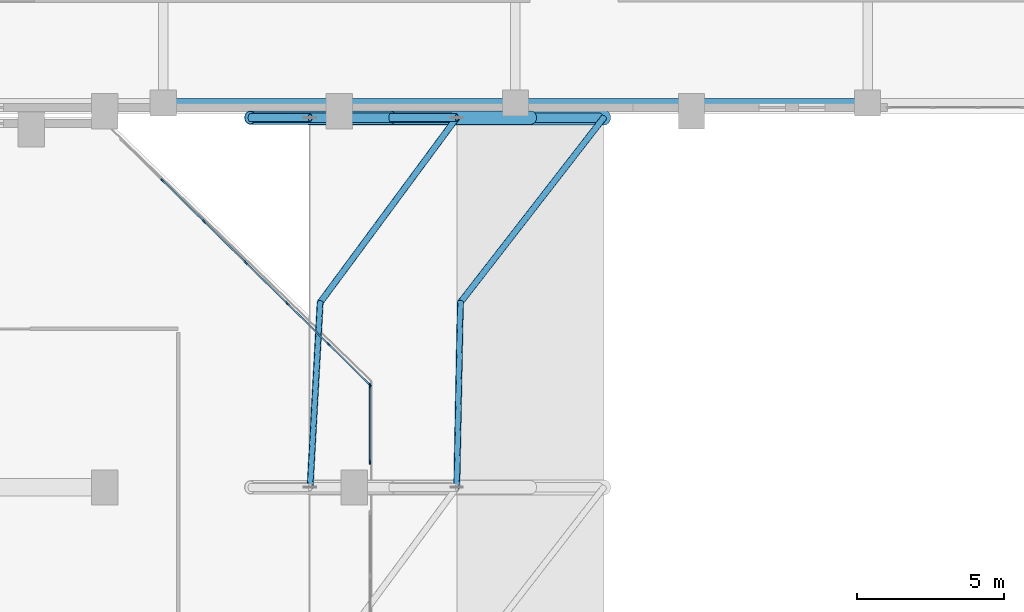
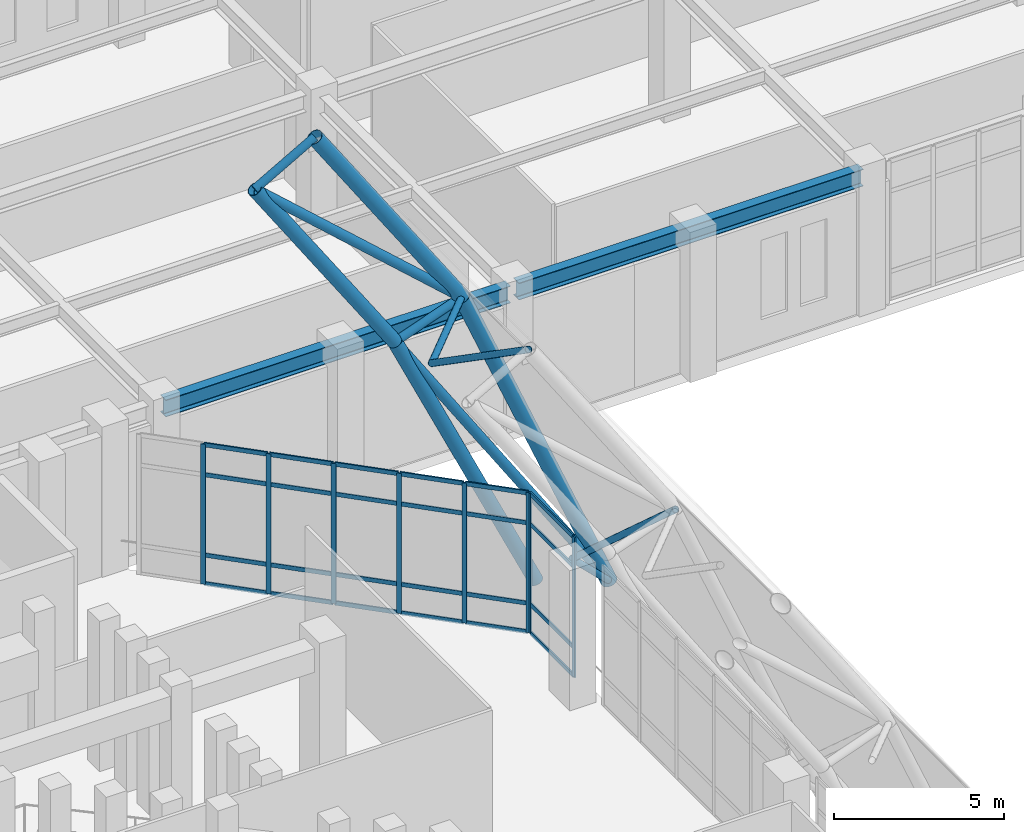
# One storey, part 58 of 159: 44 members, 2 beams, 2 elements without a shape of their own.
"""IFC4 building model written with IfcOpenShell, lengths in metres."""

import ifcopenshell
import ifcopenshell.guid

model = None  # the IFC model being written
_history = None  # IfcOwnerHistory: only IFC2X3 demands one
_inside = {}  # id of a spatial element -> (the spatial element, [elements in it])
_under = {}  # id of a project, library or spatial element -> (it, [spatial elements below it])
_declared = {}  # id of a project -> (the project, [libraries it declares])
_typed = {}  # id of a type object -> (the type object, [elements of that type])
_made_of = {}  # id of a material, layer set ... -> (it, [elements and type objects made of it])


def new_model(schema):
    """Start an empty IFC model of exactly this schema.

    Asked for "IFC4X3", IfcOpenShell would pick the latest addendum, in which some entities
    have other attributes; the version numbers below select the first issue.
    IFC2X3 requires an IfcOwnerHistory on every rooted entity: one is made here for all.
    """
    global model, _history
    if schema == "IFC4X3":
        model = ifcopenshell.file(schema_version=(4, 3, 0, 0))
    else:
        model = ifcopenshell.file(schema=schema)
    _inside.clear()
    _under.clear()
    _declared.clear()
    _typed.clear()
    _made_of.clear()
    _history = None
    if model.schema == "IFC2X3":
        org = make("IfcOrganization", Name="unknown")
        user = make(
            "IfcPersonAndOrganization",
            ThePerson=make("IfcPerson", FamilyName="unknown"),
            TheOrganization=org,
        )
        app = make(
            "IfcApplication",
            ApplicationDeveloper=org,
            Version="unknown",
            ApplicationFullName="unknown",
            ApplicationIdentifier="unknown",
        )
        _history = make(
            "IfcOwnerHistory",
            OwningUser=user,
            OwningApplication=app,
            ChangeAction="ADDED",
            CreationDate=0,
        )
    return model


def make(cls, **values):
    """One entity of the class cls with the attributes given. An attribute that is None is left unset."""
    return model.create_entity(
        cls, **{name: value for name, value in values.items() if value is not None}
    )


def rooted(cls, **values):
    """An entity with a GlobalId (a new one), such as an element, a storey or a relation."""
    return make(cls, GlobalId=ifcopenshell.guid.new(), OwnerHistory=_history, **values)


def si_unit(unit_type, name, prefix=None):
    """IfcSIUnit, for example si_unit("LENGTHUNIT", "METRE", prefix="MILLI")."""
    return make("IfcSIUnit", UnitType=unit_type, Prefix=prefix, Name=name)


def derived_unit(unit_type, elements):
    """IfcDerivedUnit: a product of units, each with its exponent."""
    return make(
        "IfcDerivedUnit",
        Elements=[
            make("IfcDerivedUnitElement", Unit=unit, Exponent=power)
            for unit, power in elements
        ],
        UnitType=unit_type,
    )


def assignment(units):
    """IfcUnitAssignment: the units of a project."""
    return None if units is None else make("IfcUnitAssignment", Units=units)


def point(xyz):
    """IfcCartesianPoint."""
    return None if xyz is None else make("IfcCartesianPoint", Coordinates=xyz)


def direction(xyz):
    """IfcDirection."""
    return None if xyz is None else make("IfcDirection", DirectionRatios=xyz)


def frame(location, z_axis=None, x_axis=None):
    """IfcAxis2Placement3D, a coordinate frame: its origin and axes. An axis left out is left unset."""
    return make(
        "IfcAxis2Placement3D",
        Location=point(location),
        Axis=direction(z_axis),
        RefDirection=direction(x_axis),
    )


def frame_2d(location, x_axis=None):
    """IfcAxis2Placement2D, a coordinate frame in the plane: its origin and x axis."""
    return make(
        "IfcAxis2Placement2D", Location=point(location), RefDirection=direction(x_axis)
    )


def origin():
    """The frame at (0, 0, 0) with its axes left unset."""
    return frame((0.0, 0.0, 0.0))


def origin_2d():
    """The frame at (0, 0) in the plane with its x axis left unset."""
    return frame_2d((0.0, 0.0))


def place(relative_to, where):
    """IfcLocalPlacement: puts the frame where relative to a parent placement (None: the world)."""
    return make(
        "IfcLocalPlacement", PlacementRelTo=relative_to, RelativePlacement=where
    )


def context(
    kind, dimensions, precision=None, world=None, true_north=None, identifier=None
):
    """IfcGeometricRepresentationContext, for example the 3D "Model" context."""
    return make(
        "IfcGeometricRepresentationContext",
        ContextIdentifier=identifier,
        ContextType=kind,
        CoordinateSpaceDimension=dimensions,
        Precision=precision,
        WorldCoordinateSystem=world,
        TrueNorth=true_north,
    )


def subcontext(parent, identifier, kind, view, scale=None):
    """IfcGeometricRepresentationSubContext, for example "Body" below "Model"."""
    return make(
        "IfcGeometricRepresentationSubContext",
        ContextIdentifier=identifier,
        ContextType=kind,
        ParentContext=parent,
        TargetScale=scale,
        TargetView=view,
    )


def project(units=None, contexts=None):
    """IfcProject with its units and contexts."""
    return rooted(
        "IfcProject",
        Name="project",
        RepresentationContexts=contexts,
        UnitsInContext=assignment(units),
    )


def spatial(cls, under=None, at=None, **own):
    """A site, building, storey or space (cls), placed at a placement, below another one or the project."""
    s = rooted(cls, ObjectPlacement=at, **own)
    if under is not None:
        _under.setdefault(under.id(), (under, []))[1].append(s)
    return s


def profile(cls, at=None, kind="AREA", **sizes):
    """A parametric profile (cls). Its sizes go by their IFC names, for example OverallWidth=200.0."""
    return make(cls, ProfileType=kind, Position=at, **sizes)


def rectangle(**sizes):
    """IfcRectangleProfileDef."""
    return profile("IfcRectangleProfileDef", **sizes)


def hollow_circle(**sizes):
    """IfcCircleHollowProfileDef."""
    return profile("IfcCircleHollowProfileDef", **sizes)


def i_section(**sizes):
    """IfcIShapeProfileDef."""
    return profile("IfcIShapeProfileDef", **sizes)


def extrude(swept, where, along, depth):
    """IfcExtrudedAreaSolid: the profile swept, set in the frame where, extruded along a direction by depth."""
    return make(
        "IfcExtrudedAreaSolid",
        SweptArea=swept,
        Position=where,
        ExtrudedDirection=direction(along),
        Depth=depth,
    )


def shape(context_of_items, identifier, shape_type, items):
    """IfcShapeRepresentation: the items that make up one representation, for example the "Body"."""
    return make(
        "IfcShapeRepresentation",
        ContextOfItems=context_of_items,
        RepresentationIdentifier=identifier,
        RepresentationType=shape_type,
        Items=items,
    )


def material(Name=None, Category=None):
    """IfcMaterial."""
    return make("IfcMaterial", Name=Name, Category=Category)


def layer(
    of_material, thickness, ventilated=None, Name=None, Category=None, Priority=None
):
    """IfcMaterialLayer: one layer of a wall or slab, of a material (None: an air gap)."""
    return make(
        "IfcMaterialLayer",
        Material=of_material,
        LayerThickness=thickness,
        IsVentilated=ventilated,
        Name=Name,
        Category=Category,
        Priority=Priority,
    )


def layer_set(layers, Name=None):
    """IfcMaterialLayerSet."""
    return make("IfcMaterialLayerSet", MaterialLayers=layers, LayerSetName=Name)


def material_profile(
    of_material, cross_section, Name=None, Category=None, Priority=None
):
    """IfcMaterialProfile: a cross section and its material."""
    return make(
        "IfcMaterialProfile",
        Name=Name,
        Material=of_material,
        Profile=cross_section,
        Priority=Priority,
        Category=Category,
    )


def profile_set(profiles, Name=None, composite=None):
    """IfcMaterialProfileSet."""
    return make(
        "IfcMaterialProfileSet",
        Name=Name,
        MaterialProfiles=profiles,
        CompositeProfile=composite,
    )


def made_of(thing, what):
    """Note that an element or type object is made of a material, layer set ...; save() writes the relation."""
    if what is not None:
        _made_of.setdefault(what.id(), (what, []))[1].append(thing)
    return thing


def type_object(cls, material=None, **own):
    """A type object (cls), such as IfcWallType, which elements share."""
    return made_of(rooted(cls, **own), material)


def element(
    cls,
    number,
    at=None,
    inside=None,
    cuts=None,
    type_object=None,
    material=None,
    context=None,
    identifier="Body",
    shape_type=None,
    held_by="IfcProductDefinitionShape",
    body=None,
    shapes=None,
    **own,
):
    """One element of the class cls, such as IfcWall. Its Tag is "e" and its number.

    at: its placement. inside: the storey or other place that contains it. cuts: it is an
    opening in that element (IfcRelVoidsElement). A single representation is given by context,
    identifier, shape_type and body (its items); several are given by shapes. held_by: the class
    of the entity that holds the representations. save() writes the other relations.
    """
    e = rooted(cls, Tag="e%d" % number, ObjectPlacement=at, **own)
    if body is not None:
        shapes = [shape(context, identifier, shape_type, body)]
    if shapes is not None:
        e.Representation = make(held_by, Representations=shapes)
    if inside is not None:
        _inside.setdefault(inside.id(), (inside, []))[1].append(e)
    if cuts is not None:
        rooted(
            "IfcRelVoidsElement", RelatingBuildingElement=cuts, RelatedOpeningElement=e
        )
    if type_object is not None:
        _typed.setdefault(type_object.id(), (type_object, []))[1].append(e)
    return made_of(e, material)


def aggregate(whole, parts):
    """IfcRelAggregates: a whole, such as a stair, and the parts it consists of."""
    return rooted("IfcRelAggregates", RelatingObject=whole, RelatedObjects=parts)


def save(model, path):
    """Write the relations noted so far, then the file.

    IfcRelAggregates (storeys below a building ...), IfcRelContainedInSpatialStructure (elements
    in a storey), IfcRelDefinesByType, IfcRelAssociatesMaterial and IfcRelDeclares: one each for
    every whole, place, type object, material and project.
    """
    for whole, parts in _under.values():
        aggregate(whole, parts)
    for where, things in _inside.values():
        rooted(
            "IfcRelContainedInSpatialStructure",
            RelatedElements=things,
            RelatingStructure=where,
        )
    for kind, things in _typed.values():
        rooted("IfcRelDefinesByType", RelatedObjects=things, RelatingType=kind)
    for what, things in _made_of.values():
        rooted("IfcRelAssociatesMaterial", RelatedObjects=things, RelatingMaterial=what)
    for by, libraries in _declared.values():
        rooted("IfcRelDeclares", RelatingContext=by, RelatedDefinitions=libraries)
    model.write(path)


model = new_model("IFC4")

# Units and contexts
model_context = context("Model", 3, precision=1e-05, world=origin(), true_north=direction((0.0, 1.0)))
body_context = subcontext(model_context, "Body", "Model", "MODEL_VIEW")
ifc_project = project(units=[si_unit("LENGTHUNIT", "METRE"), si_unit("AREAUNIT", "SQUARE_METRE"), si_unit("VOLUMEUNIT", "CUBIC_METRE"), si_unit("PLANEANGLEUNIT", "RADIAN"), si_unit("MASSUNIT", "GRAM", prefix="KILO"), derived_unit("THERMALTRANSMITTANCEUNIT", [(si_unit("MASSUNIT", "GRAM", prefix="KILO"), 1), (si_unit("TIMEUNIT", "SECOND"), -3), (si_unit("THERMODYNAMICTEMPERATUREUNIT", "KELVIN"), -1)])], contexts=[model_context])

# Site, building, storey
site_placement = place(None, origin())
site = spatial("IfcSite", under=ifc_project, at=site_placement, CompositionType="ELEMENT")
building_placement = place(site_placement, origin())
building = spatial("IfcBuilding", under=site, at=building_placement, Name="Valcora Ridge Arena", CompositionType="ELEMENT")
storey_placement = place(building_placement, frame((0.0, 0.0, 6.0)))
storey = spatial("IfcBuildingStorey", under=building, at=storey_placement, Name="L01", CompositionType="ELEMENT", Elevation=6.0)

# Beams
ifc_material_1 = material(Name="Steel ASTM A572 Grade 50", Category="steel")
ifc_material_profile_1 = material_profile(ifc_material_1, i_section(OverallWidth=0.324951171875, OverallDepth=0.612060546875, WebThickness=0.0126953125, FlangeThickness=0.01904296875, FilletRadius=0.01806640625, at=origin_2d()), Name="W24X104")
ifc_profile_set_1 = profile_set([ifc_material_profile_1], Name="Steel ASTM A572 Grade 50")
beam_type = type_object("IfcBeamType", Name="TY-BEAM-G-W24X104-X", PredefinedType="BEAM", material=ifc_profile_set_1)
for number, where, z_axis, x_axis, name in (
    (1, (96.139892578125, 108.699951171875, 4.73388671875), (1.0, 0.0, 0.0), (0.0, 1.0, 0.0), "G-W24X104-X BEM-G-W24X104-X-0041"),
    (2, (108.139892578125, 108.699951171875, 4.73388671875), (1.0, 0.0, 0.0), (0.0, 1.0, 0.0), "G-W24X104-X BEM-G-W24X104-X-0042"),
):
    element("IfcBeam", number, at=place(storey_placement, frame(where, z_axis=z_axis, x_axis=x_axis)), inside=storey, type_object=beam_type, Name=name, PredefinedType="BEAM", context=body_context, shape_type="SweptSolid", body=[
        extrude(i_section(OverallWidth=0.324951171875, OverallDepth=0.612060546875, WebThickness=0.0126953125, FlangeThickness=0.01904296875, FilletRadius=0.01806640625, at=origin_2d()), origin(), (0.0, 0.0, 1.0), 11.72021484375),
    ])

# Curtain wall, members
ifc_material_2 = material(Name="Anodised dark bronze architectural aluminium 6063-T6", Category="aluminium")
ifc_layer_1 = layer(ifc_material_2, 0.14990234375, Name="Anodised dark bronze architectural aluminium 6063-T6")
ifc_layer_set_1 = layer_set([ifc_layer_1], Name="Anodised dark bronze architectural aluminium 6063-T6")
curtain_wall_type_1 = type_object("IfcCurtainWallType", Name="TY-CURTAINWALL-CW-V1-EAST-026X50", PredefinedType="NOTDEFINED", material=ifc_layer_set_1)
curtain_wall_1_placement = place(storey_placement, origin())
curtain_wall_1 = element("IfcCurtainWall", 3, at=curtain_wall_1_placement, inside=storey, type_object=curtain_wall_type_1, Name="CW-V1-EAST-026X50 CW-0112", PredefinedType="NOTDEFINED")
ifc_material_profile_2 = material_profile(ifc_material_2, rectangle(XDim=0.050048828125, YDim=0.14990234375, at=origin_2d()), Name="ALU MULLION 50x150")
ifc_profile_set_2 = profile_set([ifc_material_profile_2], Name="Anodised dark bronze architectural aluminium 6063-T6")
member_type_1 = type_object("IfcMemberType", Name="TY-MEM-CWM-50x150", PredefinedType="MULLION", material=ifc_profile_set_2)
member_1_placement = place(storey_placement, frame((103.050048828125, 96.465087890625, 0.0), z_axis=(0.0, 0.0, 1.0), x_axis=(-1.0, 0.0, 0.0)))
member_1 = element("IfcMember", 4, at=member_1_placement, type_object=member_type_1, Name="CW-0112/CWM-50x150/M00", PredefinedType="MULLION", context=body_context, shape_type="SweptSolid", body=[
    extrude(rectangle(XDim=0.050048828125, YDim=0.14990234375, at=origin_2d()), origin(), (0.0, 0.0, 1.0), 5.0400390625),
])
member_2_placement = place(storey_placement, frame((103.050048828125, 99.05810546875, 0.0), z_axis=(0.0, 0.0, 1.0), x_axis=(-1.0, 0.0, 0.0)))
member_2 = element("IfcMember", 5, at=member_2_placement, type_object=member_type_1, Name="CW-0112/CWM-50x150/M01", PredefinedType="MULLION", context=body_context, shape_type="SweptSolid", body=[
    extrude(rectangle(XDim=0.050048828125, YDim=0.14990234375, at=origin_2d()), origin(), (0.0, 0.0, 1.0), 5.0400390625),
])

ifc_layer_2 = layer(ifc_material_2, 0.14990234375, Name="Anodised dark bronze architectural aluminium 6063-T6")
ifc_layer_set_2 = layer_set([ifc_layer_2], Name="Anodised dark bronze architectural aluminium 6063-T6")
curtain_wall_type_2 = type_object("IfcCurtainWallType", Name="TY-CURTAINWALL-CW-V1-EAST-119X50", PredefinedType="NOTDEFINED", material=ifc_layer_set_2)
curtain_wall_2_placement = place(storey_placement, origin())
curtain_wall_2 = element("IfcCurtainWall", 6, at=curtain_wall_2_placement, inside=storey, type_object=curtain_wall_type_2, Name="CW-V1-EAST-119X50 CW-0113", PredefinedType="NOTDEFINED")
member_3_placement = place(storey_placement, frame((103.0322265625, 99.1005859375, 0.0), z_axis=(0.0, 0.0, 1.0), x_axis=(-0.701847279194, -0.712327450466, 0.0)))
member_3 = element("IfcMember", 7, at=member_3_placement, type_object=member_type_1, Name="CW-0113/CWM-50x150/M00", PredefinedType="MULLION", context=body_context, shape_type="SweptSolid", body=[
    extrude(rectangle(XDim=0.050048828125, YDim=0.14990234375, at=origin_2d()), origin(), (0.0, 0.0, 1.0), 5.0400390625),
])
member_4_placement = place(storey_placement, frame((101.635009765625, 100.477294921875, 0.0), z_axis=(0.0, 0.0, 1.0), x_axis=(-0.701847279194, -0.712327450466, 0.0)))
member_4 = element("IfcMember", 8, at=member_4_placement, type_object=member_type_1, Name="CW-0113/CWM-50x150/M01", PredefinedType="MULLION", context=body_context, shape_type="SweptSolid", body=[
    extrude(rectangle(XDim=0.050048828125, YDim=0.14990234375, at=origin_2d()), origin(), (0.0, 0.0, 1.0), 5.0400390625),
])
member_5_placement = place(storey_placement, frame((100.219970703125, 101.871337890625, 0.0), z_axis=(0.0, 0.0, 1.0), x_axis=(-0.701847279194, -0.712327450466, 0.0)))
member_5 = element("IfcMember", 9, at=member_5_placement, type_object=member_type_1, Name="CW-0113/CWM-50x150/M02", PredefinedType="MULLION", context=body_context, shape_type="SweptSolid", body=[
    extrude(rectangle(XDim=0.050048828125, YDim=0.14990234375, at=origin_2d()), origin(), (0.0, 0.0, 1.0), 5.0400390625),
])
member_6_placement = place(storey_placement, frame((98.804931640625, 103.265625, 0.0), z_axis=(0.0, 0.0, 1.0), x_axis=(-0.701847279194, -0.712327450466, 0.0)))
member_6 = element("IfcMember", 10, at=member_6_placement, type_object=member_type_1, Name="CW-0113/CWM-50x150/M03", PredefinedType="MULLION", context=body_context, shape_type="SweptSolid", body=[
    extrude(rectangle(XDim=0.050048828125, YDim=0.14990234375, at=origin_2d()), origin(), (0.0, 0.0, 1.0), 5.0400390625),
])
member_7_placement = place(storey_placement, frame((97.39013671875, 104.659912109375, 0.0), z_axis=(0.0, 0.0, 1.0), x_axis=(-0.701847279194, -0.712327450466, 0.0)))
member_7 = element("IfcMember", 11, at=member_7_placement, type_object=member_type_1, Name="CW-0113/CWM-50x150/M04", PredefinedType="MULLION", context=body_context, shape_type="SweptSolid", body=[
    extrude(rectangle(XDim=0.050048828125, YDim=0.14990234375, at=origin_2d()), origin(), (0.0, 0.0, 1.0), 5.0400390625),
])
member_8_placement = place(storey_placement, frame((95.97509765625, 106.053955078125, 0.0), z_axis=(0.0, 0.0, 1.0), x_axis=(-0.701847279194, -0.712327450466, 0.0)))
member_8 = element("IfcMember", 12, at=member_8_placement, type_object=member_type_1, Name="CW-0113/CWM-50x150/M05", PredefinedType="MULLION", context=body_context, shape_type="SweptSolid", body=[
    extrude(rectangle(XDim=0.050048828125, YDim=0.14990234375, at=origin_2d()), origin(), (0.0, 0.0, 1.0), 5.0400390625),
])

# Member
ifc_material_profile_3 = material_profile(ifc_material_2, rectangle(XDim=0.050048828125, YDim=0.14990234375, at=origin_2d()), Name="ALU TRANSOM 50x150")
ifc_profile_set_3 = profile_set([ifc_material_profile_3], Name="Anodised dark bronze architectural aluminium 6063-T6")
member_type_2 = type_object("IfcMemberType", Name="TY-MEM-CWT-50x150", PredefinedType="USERDEFINED", material=ifc_profile_set_3)
member_9_placement = place(storey_placement, frame((103.050048828125, 96.489990234375, 0.02490234375), z_axis=(0.0, 1.0, 0.0), x_axis=(-1.0, 0.0, 0.0)))
member_9 = element("IfcMember", 13, at=member_9_placement, type_object=member_type_2, Name="CW-0112/CWT-50x150/T00-00", ObjectType="TRANSOM", PredefinedType="USERDEFINED", context=body_context, shape_type="SweptSolid", body=[
    extrude(rectangle(XDim=0.050048828125, YDim=0.14990234375, at=origin_2d()), origin(), (0.0, 0.0, 1.0), 2.54296875),
])

member_10_placement = place(storey_placement, frame((103.050048828125, 96.489990234375, 1.050048828125), z_axis=(0.0, 1.0, 0.0), x_axis=(-1.0, 0.0, 0.0)))
member_10 = element("IfcMember", 14, at=member_10_placement, type_object=member_type_2, Name="CW-0112/CWT-50x150/T00-01", ObjectType="TRANSOM", PredefinedType="USERDEFINED", context=body_context, shape_type="SweptSolid", body=[
    extrude(rectangle(XDim=0.050048828125, YDim=0.14990234375, at=origin_2d()), origin(), (0.0, 0.0, 1.0), 2.54296875),
])

member_11_placement = place(storey_placement, frame((103.050048828125, 96.489990234375, 3.93994140625), z_axis=(0.0, 1.0, 0.0), x_axis=(-1.0, 0.0, 0.0)))
member_11 = element("IfcMember", 15, at=member_11_placement, type_object=member_type_2, Name="CW-0112/CWT-50x150/T00-02", ObjectType="TRANSOM", PredefinedType="USERDEFINED", context=body_context, shape_type="SweptSolid", body=[
    extrude(rectangle(XDim=0.050048828125, YDim=0.14990234375, at=origin_2d()), origin(), (0.0, 0.0, 1.0), 2.54296875),
])

member_12_placement = place(storey_placement, frame((103.050048828125, 96.489990234375, 5.014892578125), z_axis=(0.0, 1.0, 0.0), x_axis=(-1.0, 0.0, 0.0)))
member_12 = element("IfcMember", 16, at=member_12_placement, type_object=member_type_2, Name="CW-0112/CWT-50x150/T00-03", ObjectType="TRANSOM", PredefinedType="USERDEFINED", context=body_context, shape_type="SweptSolid", body=[
    extrude(rectangle(XDim=0.050048828125, YDim=0.14990234375, at=origin_2d()), origin(), (0.0, 0.0, 1.0), 2.54296875),
])

aggregate(curtain_wall_1, [member_1, member_2, member_9, member_10, member_11, member_12])

member_13_placement = place(storey_placement, frame((103.014404296875, 99.1181640625, 0.02490234375), z_axis=(-0.712325066938, 0.701849698306, 0.0), x_axis=(-0.701849698306, -0.712325066938, 0.0)))
member_13 = element("IfcMember", 17, at=member_13_placement, type_object=member_type_2, Name="CW-0113/CWT-50x150/T00-00", ObjectType="TRANSOM", PredefinedType="USERDEFINED", context=body_context, shape_type="SweptSolid", body=[
    extrude(rectangle(XDim=0.050048828125, YDim=0.14990234375, at=origin_2d()), origin(), (0.0, 0.0, 1.0), 1.9111328125),
])

member_14_placement = place(storey_placement, frame((103.014404296875, 99.1181640625, 1.050048828125), z_axis=(-0.712325066938, 0.701849698306, 0.0), x_axis=(-0.701849698306, -0.712325066938, 0.0)))
member_14 = element("IfcMember", 18, at=member_14_placement, type_object=member_type_2, Name="CW-0113/CWT-50x150/T00-01", ObjectType="TRANSOM", PredefinedType="USERDEFINED", context=body_context, shape_type="SweptSolid", body=[
    extrude(rectangle(XDim=0.050048828125, YDim=0.14990234375, at=origin_2d()), origin(), (0.0, 0.0, 1.0), 1.9111328125),
])

member_15_placement = place(storey_placement, frame((103.014404296875, 99.1181640625, 3.93994140625), z_axis=(-0.712325066938, 0.701849698306, 0.0), x_axis=(-0.701849698306, -0.712325066938, 0.0)))
member_15 = element("IfcMember", 19, at=member_15_placement, type_object=member_type_2, Name="CW-0113/CWT-50x150/T00-02", ObjectType="TRANSOM", PredefinedType="USERDEFINED", context=body_context, shape_type="SweptSolid", body=[
    extrude(rectangle(XDim=0.050048828125, YDim=0.14990234375, at=origin_2d()), origin(), (0.0, 0.0, 1.0), 1.9111328125),
])

member_16_placement = place(storey_placement, frame((103.014404296875, 99.1181640625, 5.014892578125), z_axis=(-0.712325066938, 0.701849698306, 0.0), x_axis=(-0.701849698306, -0.712325066938, 0.0)))
member_16 = element("IfcMember", 20, at=member_16_placement, type_object=member_type_2, Name="CW-0113/CWT-50x150/T00-03", ObjectType="TRANSOM", PredefinedType="USERDEFINED", context=body_context, shape_type="SweptSolid", body=[
    extrude(rectangle(XDim=0.050048828125, YDim=0.14990234375, at=origin_2d()), origin(), (0.0, 0.0, 1.0), 1.9111328125),
])

member_17_placement = place(storey_placement, frame((101.617431640625, 100.494384765625, 0.02490234375), z_axis=(-0.712255563376, 0.701920232249, 0.0), x_axis=(-0.701920232249, -0.712255563376, 0.0)))
member_17 = element("IfcMember", 21, at=member_17_placement, type_object=member_type_2, Name="CW-0113/CWT-50x150/T01-00", ObjectType="TRANSOM", PredefinedType="USERDEFINED", context=body_context, shape_type="SweptSolid", body=[
    extrude(rectangle(XDim=0.050048828125, YDim=0.14990234375, at=origin_2d()), origin(), (0.0, 0.0, 1.0), 1.93701171875),
])

member_18_placement = place(storey_placement, frame((101.617431640625, 100.494384765625, 1.050048828125), z_axis=(-0.712255563376, 0.701920232249, 0.0), x_axis=(-0.701920232249, -0.712255563376, 0.0)))
member_18 = element("IfcMember", 22, at=member_18_placement, type_object=member_type_2, Name="CW-0113/CWT-50x150/T01-01", ObjectType="TRANSOM", PredefinedType="USERDEFINED", context=body_context, shape_type="SweptSolid", body=[
    extrude(rectangle(XDim=0.050048828125, YDim=0.14990234375, at=origin_2d()), origin(), (0.0, 0.0, 1.0), 1.93701171875),
])

member_19_placement = place(storey_placement, frame((101.617431640625, 100.494384765625, 3.93994140625), z_axis=(-0.712255563376, 0.701920232249, 0.0), x_axis=(-0.701920232249, -0.712255563376, 0.0)))
member_19 = element("IfcMember", 23, at=member_19_placement, type_object=member_type_2, Name="CW-0113/CWT-50x150/T01-02", ObjectType="TRANSOM", PredefinedType="USERDEFINED", context=body_context, shape_type="SweptSolid", body=[
    extrude(rectangle(XDim=0.050048828125, YDim=0.14990234375, at=origin_2d()), origin(), (0.0, 0.0, 1.0), 1.93701171875),
])

member_20_placement = place(storey_placement, frame((101.617431640625, 100.494384765625, 5.014892578125), z_axis=(-0.712255563376, 0.701920232249, 0.0), x_axis=(-0.701920232249, -0.712255563376, 0.0)))
member_20 = element("IfcMember", 24, at=member_20_placement, type_object=member_type_2, Name="CW-0113/CWT-50x150/T01-03", ObjectType="TRANSOM", PredefinedType="USERDEFINED", context=body_context, shape_type="SweptSolid", body=[
    extrude(rectangle(XDim=0.050048828125, YDim=0.14990234375, at=origin_2d()), origin(), (0.0, 0.0, 1.0), 1.93701171875),
])

member_21_placement = place(storey_placement, frame((100.2021484375, 101.88916015625, 0.02490234375), z_axis=(-0.712383475686, 0.701790412851, 0.0), x_axis=(-0.701790412851, -0.712383475686, 0.0)))
member_21 = element("IfcMember", 25, at=member_21_placement, type_object=member_type_2, Name="CW-0113/CWT-50x150/T02-00", ObjectType="TRANSOM", PredefinedType="USERDEFINED", context=body_context, shape_type="SweptSolid", body=[
    extrude(rectangle(XDim=0.050048828125, YDim=0.14990234375, at=origin_2d()), origin(), (0.0, 0.0, 1.0), 1.93603515625),
])

member_22_placement = place(storey_placement, frame((100.2021484375, 101.88916015625, 1.050048828125), z_axis=(-0.712383475686, 0.701790412851, 0.0), x_axis=(-0.701790412851, -0.712383475686, 0.0)))
member_22 = element("IfcMember", 26, at=member_22_placement, type_object=member_type_2, Name="CW-0113/CWT-50x150/T02-01", ObjectType="TRANSOM", PredefinedType="USERDEFINED", context=body_context, shape_type="SweptSolid", body=[
    extrude(rectangle(XDim=0.050048828125, YDim=0.14990234375, at=origin_2d()), origin(), (0.0, 0.0, 1.0), 1.93603515625),
])

member_23_placement = place(storey_placement, frame((100.2021484375, 101.88916015625, 3.93994140625), z_axis=(-0.712383475686, 0.701790412851, 0.0), x_axis=(-0.701790412851, -0.712383475686, 0.0)))
member_23 = element("IfcMember", 27, at=member_23_placement, type_object=member_type_2, Name="CW-0113/CWT-50x150/T02-02", ObjectType="TRANSOM", PredefinedType="USERDEFINED", context=body_context, shape_type="SweptSolid", body=[
    extrude(rectangle(XDim=0.050048828125, YDim=0.14990234375, at=origin_2d()), origin(), (0.0, 0.0, 1.0), 1.93603515625),
])

member_24_placement = place(storey_placement, frame((100.2021484375, 101.88916015625, 5.014892578125), z_axis=(-0.712383475686, 0.701790412851, 0.0), x_axis=(-0.701790412851, -0.712383475686, 0.0)))
member_24 = element("IfcMember", 28, at=member_24_placement, type_object=member_type_2, Name="CW-0113/CWT-50x150/T02-03", ObjectType="TRANSOM", PredefinedType="USERDEFINED", context=body_context, shape_type="SweptSolid", body=[
    extrude(rectangle(XDim=0.050048828125, YDim=0.14990234375, at=origin_2d()), origin(), (0.0, 0.0, 1.0), 1.93603515625),
])

member_25_placement = place(storey_placement, frame((98.787353515625, 103.282958984375, 0.02490234375), z_axis=(-0.712255563376, 0.701920232249, 0.0), x_axis=(-0.701920232249, -0.712255563376, 0.0)))
member_25 = element("IfcMember", 29, at=member_25_placement, type_object=member_type_2, Name="CW-0113/CWT-50x150/T03-00", ObjectType="TRANSOM", PredefinedType="USERDEFINED", context=body_context, shape_type="SweptSolid", body=[
    extrude(rectangle(XDim=0.050048828125, YDim=0.14990234375, at=origin_2d()), origin(), (0.0, 0.0, 1.0), 1.93701171875),
])

member_26_placement = place(storey_placement, frame((98.787353515625, 103.282958984375, 1.050048828125), z_axis=(-0.712255563376, 0.701920232249, 0.0), x_axis=(-0.701920232249, -0.712255563376, 0.0)))
member_26 = element("IfcMember", 30, at=member_26_placement, type_object=member_type_2, Name="CW-0113/CWT-50x150/T03-01", ObjectType="TRANSOM", PredefinedType="USERDEFINED", context=body_context, shape_type="SweptSolid", body=[
    extrude(rectangle(XDim=0.050048828125, YDim=0.14990234375, at=origin_2d()), origin(), (0.0, 0.0, 1.0), 1.93701171875),
])

member_27_placement = place(storey_placement, frame((98.787353515625, 103.282958984375, 3.93994140625), z_axis=(-0.712255563376, 0.701920232249, 0.0), x_axis=(-0.701920232249, -0.712255563376, 0.0)))
member_27 = element("IfcMember", 31, at=member_27_placement, type_object=member_type_2, Name="CW-0113/CWT-50x150/T03-02", ObjectType="TRANSOM", PredefinedType="USERDEFINED", context=body_context, shape_type="SweptSolid", body=[
    extrude(rectangle(XDim=0.050048828125, YDim=0.14990234375, at=origin_2d()), origin(), (0.0, 0.0, 1.0), 1.93701171875),
])

member_28_placement = place(storey_placement, frame((98.787353515625, 103.282958984375, 5.014892578125), z_axis=(-0.712255563376, 0.701920232249, 0.0), x_axis=(-0.701920232249, -0.712255563376, 0.0)))
member_28 = element("IfcMember", 32, at=member_28_placement, type_object=member_type_2, Name="CW-0113/CWT-50x150/T03-03", ObjectType="TRANSOM", PredefinedType="USERDEFINED", context=body_context, shape_type="SweptSolid", body=[
    extrude(rectangle(XDim=0.050048828125, YDim=0.14990234375, at=origin_2d()), origin(), (0.0, 0.0, 1.0), 1.93701171875),
])

member_29_placement = place(storey_placement, frame((97.3720703125, 104.677490234375, 0.02490234375), z_axis=(-0.712320431522, 0.701854402876, 0.0), x_axis=(-0.701854402876, -0.712320431522, 0.0)))
member_29 = element("IfcMember", 33, at=member_29_placement, type_object=member_type_2, Name="CW-0113/CWT-50x150/T04-00", ObjectType="TRANSOM", PredefinedType="USERDEFINED", context=body_context, shape_type="SweptSolid", body=[
    extrude(rectangle(XDim=0.050048828125, YDim=0.14990234375, at=origin_2d()), origin(), (0.0, 0.0, 1.0), 1.93603515625),
])

member_30_placement = place(storey_placement, frame((97.3720703125, 104.677490234375, 1.050048828125), z_axis=(-0.712320431522, 0.701854402876, 0.0), x_axis=(-0.701854402876, -0.712320431522, 0.0)))
member_30 = element("IfcMember", 34, at=member_30_placement, type_object=member_type_2, Name="CW-0113/CWT-50x150/T04-01", ObjectType="TRANSOM", PredefinedType="USERDEFINED", context=body_context, shape_type="SweptSolid", body=[
    extrude(rectangle(XDim=0.050048828125, YDim=0.14990234375, at=origin_2d()), origin(), (0.0, 0.0, 1.0), 1.93603515625),
])

member_31_placement = place(storey_placement, frame((97.3720703125, 104.677490234375, 3.93994140625), z_axis=(-0.712320431522, 0.701854402876, 0.0), x_axis=(-0.701854402876, -0.712320431522, 0.0)))
member_31 = element("IfcMember", 35, at=member_31_placement, type_object=member_type_2, Name="CW-0113/CWT-50x150/T04-02", ObjectType="TRANSOM", PredefinedType="USERDEFINED", context=body_context, shape_type="SweptSolid", body=[
    extrude(rectangle(XDim=0.050048828125, YDim=0.14990234375, at=origin_2d()), origin(), (0.0, 0.0, 1.0), 1.93603515625),
])

member_32_placement = place(storey_placement, frame((97.3720703125, 104.677490234375, 5.014892578125), z_axis=(-0.712320431522, 0.701854402876, 0.0), x_axis=(-0.701854402876, -0.712320431522, 0.0)))
member_32 = element("IfcMember", 36, at=member_32_placement, type_object=member_type_2, Name="CW-0113/CWT-50x150/T04-03", ObjectType="TRANSOM", PredefinedType="USERDEFINED", context=body_context, shape_type="SweptSolid", body=[
    extrude(rectangle(XDim=0.050048828125, YDim=0.14990234375, at=origin_2d()), origin(), (0.0, 0.0, 1.0), 1.93603515625),
])

aggregate(curtain_wall_2, [member_3, member_4, member_5, member_6, member_7, member_8, member_13, member_14, member_15, member_16, member_17, member_18, member_19, member_20, member_21, member_22, member_23, member_24, member_25, member_26, member_27, member_28, member_29, member_30, member_31, member_32])

# Members
ifc_material_3 = material(Name="Steel ASTM A500 Grade C", Category="steel")
ifc_material_profile_4 = material_profile(ifc_material_3, hollow_circle(Radius=0.228515625, WallThickness=0.01611328125, at=origin_2d()), Name="CHS457X16")
ifc_profile_set_4 = profile_set([ifc_material_profile_4], Name="Steel ASTM A500 Grade C")
member_type_3 = type_object("IfcMemberType", Name="TY-MEMBER-SFBC-457", PredefinedType="CHORD", material=ifc_profile_set_4)
member_33_placement = place(storey_placement, frame((98.95654296875, 108.199951171875, 11.845947265625), z_axis=(0.554844245473, 0.0, -0.831954243493), x_axis=(0.0, 1.0, 0.0)))
element("IfcMember", 37, at=member_33_placement, inside=storey, type_object=member_type_3, Name="SFBC-457 Space Frame Bottom Chord", PredefinedType="CHORD", context=body_context, shape_type="SweptSolid", body=[
    extrude(hollow_circle(Radius=0.228515625, WallThickness=0.01611328125, at=origin_2d()), origin(), (0.0, 0.0, 1.0), 8.60400390625),
])
member_34_placement = place(storey_placement, frame((103.73046875, 108.199951171875, 4.687744140625), z_axis=(0.423307664024, 0.0, -0.90598599414), x_axis=(0.0, 1.0, 0.0)))
element("IfcMember", 38, at=member_34_placement, inside=storey, type_object=member_type_3, Name="SFBC-457 Space Frame Bottom Chord", PredefinedType="CHORD", context=body_context, shape_type="SweptSolid", body=[
    extrude(hollow_circle(Radius=0.228515625, WallThickness=0.01611328125, at=origin_2d()), origin(), (0.0, 0.0, 1.0), 11.300048828125),
])
ifc_material_profile_5 = material_profile(ifc_material_3, hollow_circle(Radius=0.136474609375, WallThickness=0.012451171875, at=origin_2d()), Name="CHS273X12")
ifc_profile_set_5 = profile_set([ifc_material_profile_5], Name="Steel ASTM A500 Grade C")
member_type_4 = type_object("IfcMemberType", Name="TY-MEMBER-SFKP-273", PredefinedType="POST", material=ifc_profile_set_5)
member_35_placement = place(storey_placement, frame((98.95654296875, 108.199951171875, 11.845947265625), z_axis=(0.870066770029, 0.0, 0.49293388572), x_axis=(0.0, 1.0, 0.0)))
element("IfcMember", 39, at=member_35_placement, inside=storey, type_object=member_type_4, Name="SFKP-273 Space Frame King Post", PredefinedType="POST", context=body_context, shape_type="SweptSolid", body=[
    extrude(hollow_circle(Radius=0.136474609375, WallThickness=0.012451171875, at=origin_2d()), origin(), (0.0, 0.0, 1.0), 2.3486328125),
])
member_36_placement = place(storey_placement, frame((103.73046875, 108.199951171875, 4.687744140625), z_axis=(0.940679548022, 0.0, 0.339296312878), x_axis=(0.0, 1.0, 0.0)))
element("IfcMember", 40, at=member_36_placement, inside=storey, type_object=member_type_4, Name="SFKP-273 Space Frame King Post", PredefinedType="POST", context=body_context, shape_type="SweptSolid", body=[
    extrude(hollow_circle(Radius=0.136474609375, WallThickness=0.012451171875, at=origin_2d()), origin(), (0.0, 0.0, 1.0), 2.41259765625),
])
ifc_material_profile_6 = material_profile(ifc_material_3, hollow_circle(Radius=0.109619140625, WallThickness=0.010009765625, at=origin_2d()), Name="CHS219X10")
ifc_profile_set_6 = profile_set([ifc_material_profile_6], Name="Steel ASTM A500 Grade C")
member_type_5 = type_object("IfcMemberType", Name="TY-MEMBER-SFST-219", PredefinedType="STRUT", material=ifc_profile_set_6)
member_37_placement = place(storey_placement, frame((101.343505859375, 101.89990234375, 8.570068359375), z_axis=(-0.044546474431, -0.816970310034, 0.57495662805), x_axis=(0.99851674084, -0.054445553184, 0.0)))
element("IfcMember", 41, at=member_37_placement, inside=storey, type_object=member_type_5, Name="SFST-219 Space Frame Tie Strut", PredefinedType="STRUT", context=body_context, shape_type="SweptSolid", body=[
    extrude(hollow_circle(Radius=0.109619140625, WallThickness=0.010009765625, at=origin_2d()), origin(), (0.0, 0.0, 1.0), 7.711181640625),
])
member_38_placement = place(storey_placement, frame((101.343505859375, 101.89990234375, 8.570068359375), z_axis=(0.55356081568, 0.748945464721, -0.364213006657), x_axis=(-0.804180027391, 0.59438580362, 0.0)))
element("IfcMember", 42, at=member_38_placement, inside=storey, type_object=member_type_5, Name="SFST-219 Space Frame Tie Strut", PredefinedType="STRUT", context=body_context, shape_type="SweptSolid", body=[
    extrude(hollow_circle(Radius=0.109619140625, WallThickness=0.010009765625, at=origin_2d()), origin(), (0.0, 0.0, 1.0), 8.411865234375),
])
member_39_placement = place(storey_placement, frame((106.122314453125, 101.89990234375, -0.131103515625), z_axis=(-0.014466894428, -0.745117253118, 0.666776565329), x_axis=(0.999811570617, -0.019411936013, 0.0)))
element("IfcMember", 43, at=member_39_placement, inside=storey, type_object=member_type_5, Name="SFST-219 Space Frame Tie Strut", PredefinedType="STRUT", context=body_context, shape_type="SweptSolid", body=[
    extrude(hollow_circle(Radius=0.109619140625, WallThickness=0.010009765625, at=origin_2d()), origin(), (0.0, 0.0, 1.0), 8.454833984375),
])
member_40_placement = place(storey_placement, frame((106.122314453125, 101.89990234375, -0.131103515625), z_axis=(0.480415634136, 0.619237034909, -0.621084787348), x_axis=(-0.790101773221, 0.612975683003, 0.0)))
element("IfcMember", 44, at=member_40_placement, inside=storey, type_object=member_type_5, Name="SFST-219 Space Frame Tie Strut", PredefinedType="STRUT", context=body_context, shape_type="SweptSolid", body=[
    extrude(hollow_circle(Radius=0.109619140625, WallThickness=0.010009765625, at=origin_2d()), origin(), (0.0, 0.0, 1.0), 10.173828125),
])
ifc_material_profile_7 = material_profile(ifc_material_3, hollow_circle(Radius=0.25390625, WallThickness=0.01611328125, at=origin_2d()), Name="CHS508X16")
ifc_profile_set_7 = profile_set([ifc_material_profile_7], Name="Steel ASTM A500 Grade C")
member_type_6 = type_object("IfcMemberType", Name="TY-MEMBER-SFTC-508", PredefinedType="CHORD", material=ifc_profile_set_7)
member_41_placement = place(storey_placement, frame((101.0, 108.199951171875, 13.003662109375), z_axis=(0.554837731053, 0.0, -0.831958588032), x_axis=(0.0, 1.0, 0.0)))
element("IfcMember", 45, at=member_41_placement, inside=storey, type_object=member_type_6, Name="SFTC-508 Space Frame Top Chord", PredefinedType="CHORD", context=body_context, shape_type="SweptSolid", body=[
    extrude(hollow_circle(Radius=0.25390625, WallThickness=0.01611328125, at=origin_2d()), origin(), (0.0, 0.0, 1.0), 9.01171875),
])
member_42_placement = place(storey_placement, frame((106.0, 108.199951171875, 5.50634765625), z_axis=(0.386469367501, 0.0, -0.922302243293), x_axis=(0.0, 1.0, 0.0)))
element("IfcMember", 46, at=member_42_placement, inside=storey, type_object=member_type_6, Name="SFTC-508 Space Frame Top Chord", PredefinedType="CHORD", context=body_context, shape_type="SweptSolid", body=[
    extrude(hollow_circle(Radius=0.25390625, WallThickness=0.01611328125, at=origin_2d()), origin(), (0.0, 0.0, 1.0), 12.963623046875),
])
ifc_material_profile_8 = material_profile(ifc_material_3, hollow_circle(Radius=0.161865234375, WallThickness=0.012451171875, at=origin_2d()), Name="CHS323X12")
ifc_profile_set_8 = profile_set([ifc_material_profile_8], Name="Steel ASTM A500 Grade C")
member_type_7 = type_object("IfcMemberType", Name="TY-MEMBER-SFWB-323", PredefinedType="BRACE", material=ifc_profile_set_8)
member_43_placement = place(storey_placement, frame((99.075439453125, 108.199951171875, 11.739013671875), z_axis=(0.743265934417, 0.0, -0.668996076771), x_axis=(0.0, 1.0, 0.0)))
element("IfcMember", 47, at=member_43_placement, inside=storey, type_object=member_type_7, Name="SFWB-323 Space Frame Diagonal Brace", PredefinedType="BRACE", context=body_context, shape_type="SweptSolid", body=[
    extrude(hollow_circle(Radius=0.161865234375, WallThickness=0.012451171875, at=origin_2d()), origin(), (0.0, 0.0, 1.0), 9.03662109375),
])
member_44_placement = place(storey_placement, frame((103.818115234375, 108.199951171875, 4.5537109375), z_axis=(0.547092389221, 0.0, -0.837072229653), x_axis=(0.0, 1.0, 0.0)))
element("IfcMember", 48, at=member_44_placement, inside=storey, type_object=member_type_7, Name="SFWB-323 Space Frame Diagonal Brace", PredefinedType="BRACE", context=body_context, shape_type="SweptSolid", body=[
    extrude(hollow_circle(Radius=0.161865234375, WallThickness=0.012451171875, at=origin_2d()), origin(), (0.0, 0.0, 1.0), 12.865478515625),
])

save(model, "model.ifc")
